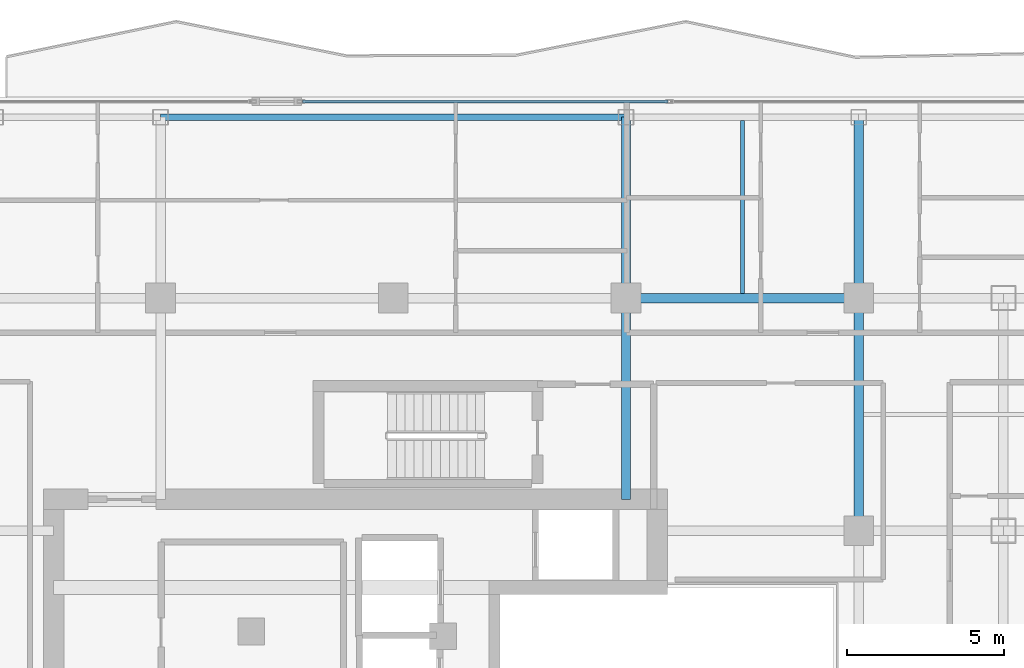
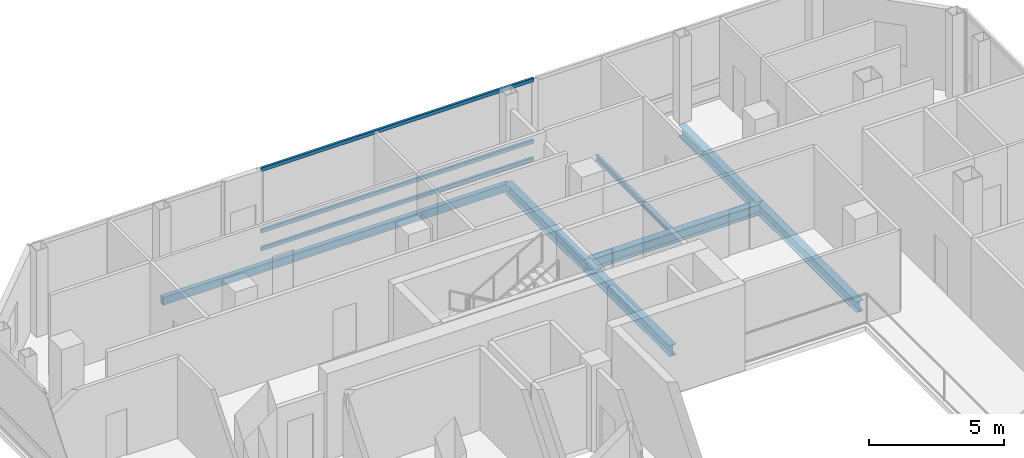
# One storey, part 13 of 24: 7 beams, 3 members, 1 element without a shape of its own.
"""IFC4 building model written with IfcOpenShell, lengths in metres."""

from ifc_helpers import new_model, si_unit, direction, frame, origin, origin_2d, place, context, subcontext, project, spatial, hollow_rectangle, i_section, extrude, material, layer, layer_set, material_profile, profile_set, type_object, element, aggregate, save


model = new_model("IFC4")

# Units and contexts
model_context = context("Model", 3, precision=1e-05, world=origin(), true_north=direction((0.0, 1.0)))
body_context = subcontext(model_context, "Body", "Model", "MODEL_VIEW")
ifc_project = project(units=[si_unit("LENGTHUNIT", "METRE"), si_unit("AREAUNIT", "SQUARE_METRE"), si_unit("VOLUMEUNIT", "CUBIC_METRE"), si_unit("PLANEANGLEUNIT", "RADIAN"), si_unit("MASSUNIT", "GRAM", prefix="KILO")], contexts=[model_context])

# Site, building, storey
site_placement = place(None, origin())
site = spatial("IfcSite", under=ifc_project, at=site_placement, CompositionType="ELEMENT")
building_placement = place(site_placement, origin())
building = spatial("IfcBuilding", under=site, at=building_placement, Name="Khorvyn Point Tower", CompositionType="ELEMENT")
storey_placement = place(building_placement, frame((0.0, 0.0, 266.39990234375)))
storey = spatial("IfcBuildingStorey", under=building, at=storey_placement, Name="L65", CompositionType="ELEMENT", Elevation=266.39990234375)

# Curtain wall, members
ifc_material_1 = material(Name="Anodised aluminium 6063-T6 and laminated Low-E glass", Category="aluminium")
ifc_layer = layer(ifc_material_1, 0.18994140625)
ifc_layer_set = layer_set([ifc_layer], Name="Stick-Built High-Wind Curtain Wall CW-SYS-04")
curtain_wall_type = type_object("IfcCurtainWallType", Name="Stick-Built High-Wind Curtain Wall CW-SYS-04", PredefinedType="NOTDEFINED", material=ifc_layer_set)
curtain_wall_placement = place(storey_placement, origin())
curtain_wall = element("IfcCurtainWall", 1, at=curtain_wall_placement, inside=storey, type_object=curtain_wall_type, Name="Curtain Wall", PredefinedType="NOTDEFINED")
ifc_material_2 = material(Name="Anodised aluminium 6063-T6", Category="aluminium")
ifc_material_profile_1 = material_profile(ifc_material_2, hollow_rectangle(XDim=0.10009765625, YDim=0.159912109375, WallThickness=0.00439453125, at=origin_2d()))
ifc_profile_set_1 = profile_set([ifc_material_profile_1], Name="Anodised aluminium 6063-T6 ALU-TRN-100x160")
member_type = type_object("IfcMemberType", Name="Anodised Aluminium 6063-T6 Transom ALU-TRN-100x160", PredefinedType="USERDEFINED", material=ifc_profile_set_1)
member_1_placement = place(storey_placement, frame((-2.885009765625, 21.050048828125, 0.050048828125), z_axis=(1.0, 0.0, 0.0), x_axis=(0.0, 1.0, 0.0)))
member_1 = element("IfcMember", 2, at=member_1_placement, type_object=member_type, Name="Transom", ObjectType="TRANSOM", PredefinedType="USERDEFINED", context=body_context, shape_type="SweptSolid", body=[
    extrude(hollow_rectangle(XDim=0.10009765625, YDim=0.159912109375, WallThickness=0.00439453125, at=origin_2d()), origin(), (0.0, 0.0, 1.0), 11.617431640625),
])
member_2_placement = place(storey_placement, frame((-2.885009765625, 21.050048828125, 0.85009765625), z_axis=(1.0, 0.0, 0.0), x_axis=(0.0, 1.0, 0.0)))
member_2 = element("IfcMember", 3, at=member_2_placement, type_object=member_type, Name="Transom", ObjectType="TRANSOM", PredefinedType="USERDEFINED", context=body_context, shape_type="SweptSolid", body=[
    extrude(hollow_rectangle(XDim=0.10009765625, YDim=0.159912109375, WallThickness=0.00439453125, at=origin_2d()), origin(), (0.0, 0.0, 1.0), 11.617431640625),
])
member_3_placement = place(storey_placement, frame((-2.885009765625, 21.050048828125, 3.630126953125), z_axis=(1.0, 0.0, 0.0), x_axis=(0.0, 1.0, 0.0)))
member_3 = element("IfcMember", 4, at=member_3_placement, type_object=member_type, Name="Transom", ObjectType="TRANSOM", PredefinedType="USERDEFINED", context=body_context, shape_type="SweptSolid", body=[
    extrude(hollow_rectangle(XDim=0.10009765625, YDim=0.159912109375, WallThickness=0.00439453125, at=origin_2d()), origin(), (0.0, 0.0, 1.0), 11.617431640625),
])
aggregate(curtain_wall, [member_1, member_2, member_3])

# Beams
ifc_material_3 = material(Name="Steel S355", Category="steel")
ifc_material_profile_2 = material_profile(ifc_material_3, i_section(OverallWidth=0.125, OverallDepth=0.25, WebThickness=0.006103515625, FlangeThickness=0.009033203125, at=origin_2d()))
ifc_profile_set_2 = profile_set([ifc_material_profile_2], Name="Steel S355 H250x125x6x9")
beam_type_1 = type_object("IfcBeamType", Name="Steel S355 Joist H250x125x6x9", PredefinedType="JOIST", material=ifc_profile_set_2)
beam_1_placement = place(storey_placement, frame((11.10009765625, 14.949951171875, -0.344970703125), z_axis=(0.0, 1.0, 0.0), x_axis=(-1.0, 0.0, 0.0)))
element("IfcBeam", 5, at=beam_1_placement, inside=storey, type_object=beam_type_1, Name="Beam", PredefinedType="JOIST", context=body_context, shape_type="SweptSolid", body=[
    extrude(i_section(OverallWidth=0.125, OverallDepth=0.25, WebThickness=0.006103515625, FlangeThickness=0.009033203125, at=origin_2d()), origin(), (0.0, 0.0, 1.0), 5.5),
])
ifc_material_profile_3 = material_profile(ifc_material_3, i_section(OverallWidth=0.300048828125, OverallDepth=0.488037109375, WebThickness=0.010986328125, FlangeThickness=0.01806640625, at=origin_2d()))
ifc_profile_set_3 = profile_set([ifc_material_profile_3], Name="Steel S355 H488x300x11x18")
beam_type_2 = type_object("IfcBeamType", Name="Steel S355 Spandrel H488x300x11x18", PredefinedType="SPANDREL", material=ifc_profile_set_3)
for number, where, z_axis, x_axis, name in (
    (6, (7.39990234375, 14.800048828125, -0.4638671875), (1.0, 0.0, 0.0), (0.0, 1.0, 0.0), "Beam"),
    (7, (14.800048828125, 7.39990234375, -0.4638671875), (0.0, 1.0, 0.0), (-1.0, 0.0, 0.0), "Beam"),
):
    element("IfcBeam", number, at=place(storey_placement, frame(where, z_axis=z_axis, x_axis=x_axis)), inside=storey, type_object=beam_type_2, Name=name, PredefinedType="SPANDREL", context=body_context, shape_type="SweptSolid", body=[
        extrude(i_section(OverallWidth=0.300048828125, OverallDepth=0.488037109375, WebThickness=0.010986328125, FlangeThickness=0.01806640625, at=origin_2d()), origin(), (0.0, 0.0, 1.0), 7.400146484375),
    ])
beam_2_placement = place(storey_placement, frame((14.800048828125, 14.800048828125, -0.4638671875), z_axis=(0.0, 1.0, 0.0), x_axis=(-1.0, 0.0, 0.0)))
element("IfcBeam", 8, at=beam_2_placement, inside=storey, type_object=beam_type_2, Name="Beam", PredefinedType="SPANDREL", context=body_context, shape_type="SweptSolid", body=[
    extrude(i_section(OverallWidth=0.300048828125, OverallDepth=0.488037109375, WebThickness=0.010986328125, FlangeThickness=0.01806640625, at=origin_2d()), origin(), (0.0, 0.0, 1.0), 5.75),
])
beam_3_placement = place(storey_placement, frame((7.39990234375, 8.39990234375, -0.4638671875), z_axis=(0.0, 1.0, 0.0), x_axis=(-1.0, 0.0, 0.0)))
element("IfcBeam", 9, at=beam_3_placement, inside=storey, type_object=beam_type_2, Name="Beam", PredefinedType="SPANDREL", context=body_context, shape_type="SweptSolid", body=[
    extrude(i_section(OverallWidth=0.300048828125, OverallDepth=0.488037109375, WebThickness=0.010986328125, FlangeThickness=0.01806640625, at=origin_2d()), origin(), (0.0, 0.0, 1.0), 6.400146484375),
])
beam_4_placement = place(storey_placement, frame((7.39990234375, 14.800048828125, -0.4638671875), z_axis=(0.0, 1.0, 0.0), x_axis=(-1.0, 0.0, 0.0)))
element("IfcBeam", 10, at=beam_4_placement, inside=storey, type_object=beam_type_2, Name="Beam", PredefinedType="SPANDREL", context=body_context, shape_type="SweptSolid", body=[
    extrude(i_section(OverallWidth=0.300048828125, OverallDepth=0.488037109375, WebThickness=0.010986328125, FlangeThickness=0.01806640625, at=origin_2d()), origin(), (0.0, 0.0, 1.0), 5.75),
])
ifc_material_profile_4 = material_profile(ifc_material_3, hollow_rectangle(XDim=0.199951171875, YDim=0.35009765625, WallThickness=0.013916015625, at=origin_2d()))
ifc_profile_set_4 = profile_set([ifc_material_profile_4], Name="Steel S355 RHS350x200x14")
beam_type_3 = type_object("IfcBeamType", Name="Steel S355 Spandrel RHS350x200x14", PredefinedType="SPANDREL", material=ifc_profile_set_4)
beam_5_placement = place(storey_placement, frame((-7.39990234375, 20.550048828125, -0.39501953125), z_axis=(1.0, 0.0, 0.0), x_axis=(0.0, 1.0, 0.0)))
element("IfcBeam", 11, at=beam_5_placement, inside=storey, type_object=beam_type_3, Name="Beam", PredefinedType="SPANDREL", context=body_context, shape_type="SweptSolid", body=[
    extrude(hollow_rectangle(XDim=0.199951171875, YDim=0.35009765625, WallThickness=0.013916015625, at=origin_2d()), origin(), (0.0, 0.0, 1.0), 14.7998046875),
])

save(model, "model.ifc")
